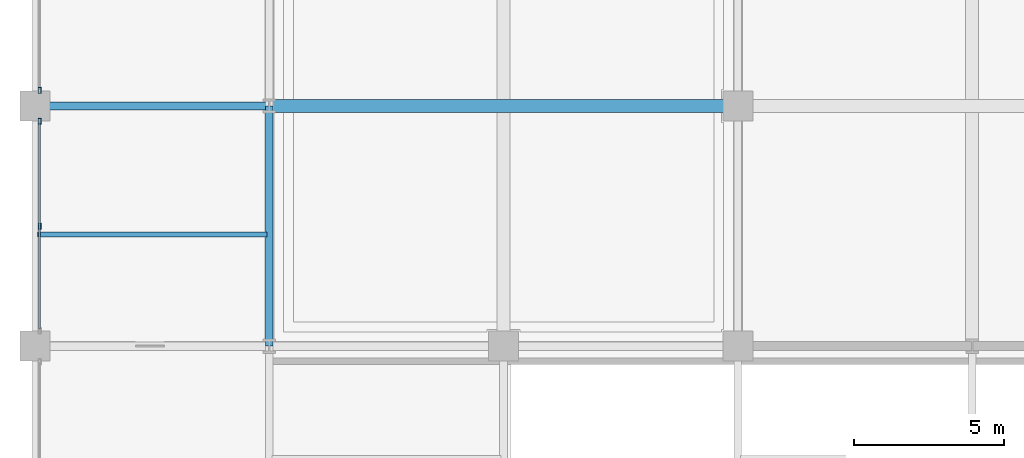
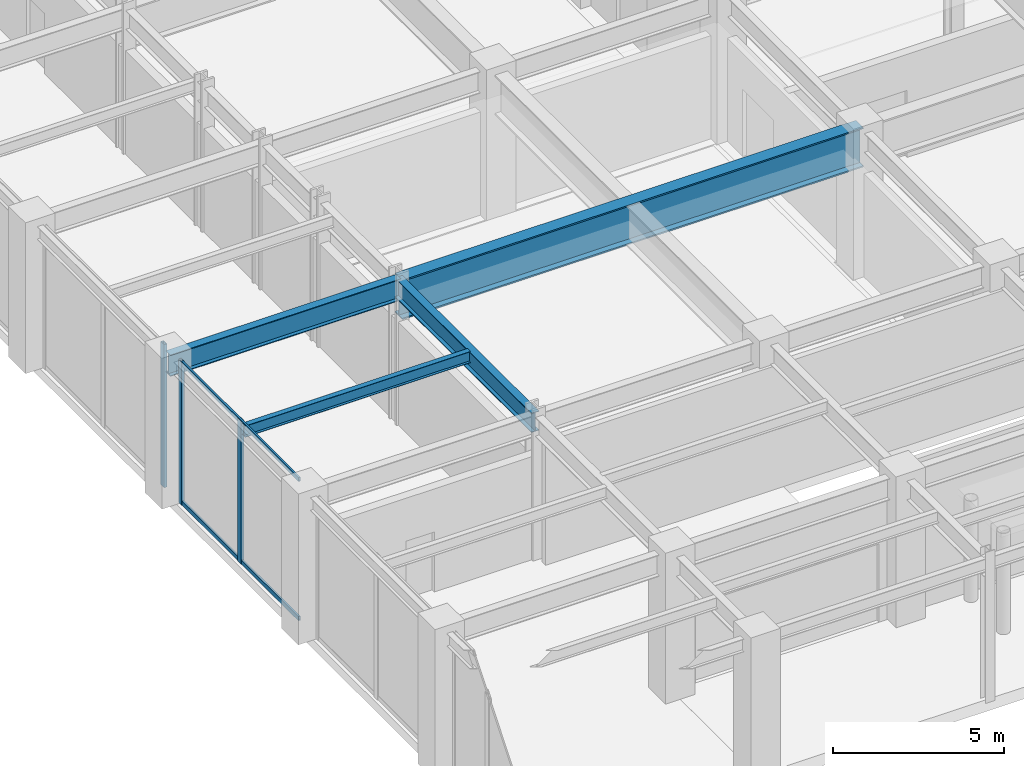
# One storey, part 8 of 27: 5 members, 4 beams, 2 elements without a shape of their own.
"""IFC4 building model written with IfcOpenShell, lengths in metres."""

from ifc_helpers import new_model, si_unit, direction, frame, origin, origin_2d, place, context, subcontext, project, spatial, hollow_rectangle, i_section, extrude, material, layer, layer_set, material_profile, profile_set, type_object, element, aggregate, save


model = new_model("IFC4")

# Units and contexts
model_context = context("Model", 3, precision=1e-05, world=origin(), true_north=direction((0.0, 1.0)))
body_context = subcontext(model_context, "Body", "Model", "MODEL_VIEW")
ifc_project = project(units=[si_unit("LENGTHUNIT", "METRE"), si_unit("AREAUNIT", "SQUARE_METRE"), si_unit("VOLUMEUNIT", "CUBIC_METRE"), si_unit("PLANEANGLEUNIT", "RADIAN"), si_unit("MASSUNIT", "GRAM", prefix="KILO")], contexts=[model_context])

# Site, building, storey
site_placement = place(None, origin())
site = spatial("IfcSite", under=ifc_project, at=site_placement, CompositionType="ELEMENT")
building_placement = place(site_placement, origin())
building = spatial("IfcBuilding", under=site, at=building_placement, Name="Veymaron Broadcast Tower", CompositionType="ELEMENT")
storey_placement = place(building_placement, origin())
storey = spatial("IfcBuildingStorey", under=building, at=storey_placement, Name="L00", CompositionType="ELEMENT", Elevation=0.0)

# Beams
ifc_material_1 = material(Name="Structural steel ASTM A992 Gr 50", Category="steel")
ifc_material_profile_1 = material_profile(ifc_material_1, i_section(OverallWidth=0.177978515625, OverallDepth=0.406982421875, WebThickness=0.0078125, FlangeThickness=0.0126953125, at=origin_2d()), Name="W410X60")
ifc_profile_set_1 = profile_set([ifc_material_profile_1], Name="Structural steel ASTM A992 Gr 50")
beam_type_1 = type_object("IfcBeamType", Name="BM-JS1", PredefinedType="JOIST", material=ifc_profile_set_1)
beam_1_placement = place(storey_placement, frame((0.0849609375, 11.719970703125, 4.91650390625), z_axis=(1.0, 0.0, 0.0), x_axis=(0.0, 1.0, 0.0)))
element("IfcBeam", 1, at=beam_1_placement, inside=storey, type_object=beam_type_1, Name="L00 podium secondary floor joist", PredefinedType="JOIST", context=body_context, shape_type="SweptSolid", body=[
    extrude(i_section(OverallWidth=0.177978515625, OverallDepth=0.406982421875, WebThickness=0.0078125, FlangeThickness=0.0126953125, at=origin_2d()), origin(), (0.0, 0.0, 1.0), 7.630126953125),
])
ifc_material_profile_2 = material_profile(ifc_material_1, i_section(OverallWidth=0.26806640625, OverallDepth=0.77001953125, WebThickness=0.015625, FlangeThickness=0.025390625, at=origin_2d()), Name="W760X196")
ifc_profile_set_2 = profile_set([ifc_material_profile_2], Name="Structural steel ASTM A992 Gr 50")
beam_type_2 = type_object("IfcBeamType", Name="BM-PG1", PredefinedType="BEAM", material=ifc_profile_set_2)
beam_2_placement = place(storey_placement, frame((0.0, 16.0, 4.735107421875), z_axis=(1.0, 0.0, 0.0), x_axis=(0.0, 1.0, 0.0)))
element("IfcBeam", 2, at=beam_2_placement, inside=storey, type_object=beam_type_2, Name="L00 podium primary X-girder", PredefinedType="BEAM", context=body_context, shape_type="SweptSolid", body=[
    extrude(i_section(OverallWidth=0.26806640625, OverallDepth=0.77001953125, WebThickness=0.015625, FlangeThickness=0.025390625, at=origin_2d()), origin(), (0.0, 0.0, 1.0), 7.800048828125),
])
ifc_material_profile_3 = material_profile(ifc_material_1, i_section(OverallWidth=0.256103515625, OverallDepth=0.693115234375, WebThickness=0.014404296875, FlangeThickness=0.023681640625, at=origin_2d()), Name="W690X170")
ifc_profile_set_3 = profile_set([ifc_material_profile_3], Name="Structural steel ASTM A992 Gr 50")
beam_type_3 = type_object("IfcBeamType", Name="BM-PG2", PredefinedType="BEAM", material=ifc_profile_set_3)
beam_3_placement = place(storey_placement, frame((7.800048828125, 8.0, 4.7734375), z_axis=(0.0, 1.0, 0.0), x_axis=(-1.0, 0.0, 0.0)))
element("IfcBeam", 3, at=beam_3_placement, inside=storey, type_object=beam_type_3, Name="L00 podium primary Y-girder", PredefinedType="BEAM", context=body_context, shape_type="SweptSolid", body=[
    extrude(i_section(OverallWidth=0.256103515625, OverallDepth=0.693115234375, WebThickness=0.014404296875, FlangeThickness=0.023681640625, at=origin_2d()), origin(), (0.0, 0.0, 1.0), 8.0),
])
ifc_material_2 = material(Name="Structural steel ASTM A913 Gr 65", Category="steel")
ifc_material_profile_4 = material_profile(ifc_material_2, i_section(OverallWidth=0.429931640625, OverallDepth=1.419921875, WebThickness=0.030029296875, FlangeThickness=0.050048828125, at=origin_2d()), Name="W1400X550")
ifc_profile_set_4 = profile_set([ifc_material_profile_4], Name="Structural steel ASTM A913 Gr 65")
beam_type_4 = type_object("IfcBeamType", Name="BM-TG0", PredefinedType="BEAM", material=ifc_profile_set_4)
beam_4_placement = place(storey_placement, frame((7.800048828125, 16.0, 4.409912109375), z_axis=(1.0, 0.0, 0.0), x_axis=(0.0, 1.0, 0.0)))
element("IfcBeam", 4, at=beam_4_placement, inside=storey, type_object=beam_type_4, Name="L00 podium primary X-girder", PredefinedType="BEAM", context=body_context, shape_type="SweptSolid", body=[
    extrude(i_section(OverallWidth=0.429931640625, OverallDepth=1.419921875, WebThickness=0.030029296875, FlangeThickness=0.050048828125, at=origin_2d()), origin(), (0.0, 0.0, 1.0), 15.599853515625),
])

# Curtain wall, members
ifc_material_3 = material(Name="Anodised aluminium AA 6063-T6 and laminated low-E dark glass", Category="aluminium")
ifc_layer = layer(ifc_material_3, 0.179931640625)
ifc_layer_set = layer_set([ifc_layer], Name="Anodised aluminium AA 6063-T6 and laminated low-E dark glass")
curtain_wall_type = type_object("IfcCurtainWallType", Name="CW-SYS-01", PredefinedType="NOTDEFINED", material=ifc_layer_set)
curtain_wall_1_placement = place(storey_placement, origin())
curtain_wall_1 = element("IfcCurtainWall", 5, at=curtain_wall_1_placement, inside=storey, type_object=curtain_wall_type, Name="L00 dark-glass curtain wall CW-L00-06", PredefinedType="NOTDEFINED")
ifc_material_4 = material(Name="Anodised aluminium AA 6063-T6", Category="aluminium")
ifc_material_profile_5 = material_profile(ifc_material_4, hollow_rectangle(XDim=0.10009765625, YDim=0.199951171875, WallThickness=0.010009765625, at=origin_2d()), Name="RHS200X100X10")
ifc_profile_set_5 = profile_set([ifc_material_profile_5], Name="Anodised aluminium AA 6063-T6")
member_type_1 = type_object("IfcMemberType", Name="CW-MUL-01", PredefinedType="MULLION", material=ifc_profile_set_5)
member_1_placement = place(storey_placement, frame((0.14990234375, 12.0, 0.0), z_axis=(0.0, 0.0, 1.0), x_axis=(1.0, 0.0, 0.0)))
member_1 = element("IfcMember", 6, at=member_1_placement, type_object=member_type_1, Name="CW-L00-06 mullion 1", PredefinedType="MULLION", context=body_context, shape_type="SweptSolid", body=[
    extrude(hollow_rectangle(XDim=0.10009765625, YDim=0.199951171875, WallThickness=0.010009765625, at=origin_2d()), origin(), (0.0, 0.0, 1.0), 5.1201171875),
])
member_2_placement = place(storey_placement, frame((0.14990234375, 15.48193359375, 0.0), z_axis=(0.0, 0.0, 1.0), x_axis=(1.0, 0.0, 0.0)))
member_2 = element("IfcMember", 7, at=member_2_placement, type_object=member_type_1, Name="CW-L00-06 mullion 2", PredefinedType="MULLION", context=body_context, shape_type="SweptSolid", body=[
    extrude(hollow_rectangle(XDim=0.10009765625, YDim=0.199951171875, WallThickness=0.010009765625, at=origin_2d()), origin(), (0.0, 0.0, 1.0), 5.1201171875),
])

# Curtain wall, member
curtain_wall_2_placement = place(storey_placement, origin())
curtain_wall_2 = element("IfcCurtainWall", 8, at=curtain_wall_2_placement, inside=storey, type_object=curtain_wall_type, Name="L00 dark-glass curtain wall CW-L00-07", PredefinedType="NOTDEFINED")
member_3_placement = place(storey_placement, frame((0.14990234375, 16.51806640625, 0.0), z_axis=(0.0, 0.0, 1.0), x_axis=(1.0, 0.0, 0.0)))
member_3 = element("IfcMember", 9, at=member_3_placement, type_object=member_type_1, Name="CW-L00-07 mullion 0", PredefinedType="MULLION", context=body_context, shape_type="SweptSolid", body=[
    extrude(hollow_rectangle(XDim=0.10009765625, YDim=0.199951171875, WallThickness=0.010009765625, at=origin_2d()), origin(), (0.0, 0.0, 1.0), 5.1201171875),
])
aggregate(curtain_wall_2, [member_3])

# Member
ifc_material_profile_6 = material_profile(ifc_material_4, hollow_rectangle(XDim=0.06494140625, YDim=0.14990234375, WallThickness=0.00390625, at=origin_2d()), Name="AL150X65X4")
ifc_profile_set_6 = profile_set([ifc_material_profile_6], Name="Anodised aluminium AA 6063-T6")
member_type_2 = type_object("IfcMemberType", Name="CW-TRN-01", PredefinedType="USERDEFINED", material=ifc_profile_set_6)
member_4_placement = place(storey_placement, frame((0.14990234375, 8.568115234375, 0.070068359375), z_axis=(0.0, 1.0, 0.0), x_axis=(-1.0, 0.0, 0.0)))
member_4 = element("IfcMember", 10, at=member_4_placement, type_object=member_type_2, Name="CW-L00-06 transom B", ObjectType="TRANSOM", PredefinedType="USERDEFINED", context=body_context, shape_type="SweptSolid", body=[
    extrude(hollow_rectangle(XDim=0.06494140625, YDim=0.14990234375, WallThickness=0.00390625, at=origin_2d()), origin(), (0.0, 0.0, 1.0), 6.86376953125),
])

member_5_placement = place(storey_placement, frame((0.14990234375, 8.568115234375, 5.050048828125), z_axis=(0.0, 1.0, 0.0), x_axis=(-1.0, 0.0, 0.0)))
member_5 = element("IfcMember", 11, at=member_5_placement, type_object=member_type_2, Name="CW-L00-06 transom T", ObjectType="TRANSOM", PredefinedType="USERDEFINED", context=body_context, shape_type="SweptSolid", body=[
    extrude(hollow_rectangle(XDim=0.06494140625, YDim=0.14990234375, WallThickness=0.00390625, at=origin_2d()), origin(), (0.0, 0.0, 1.0), 6.86376953125),
])

aggregate(curtain_wall_1, [member_1, member_2, member_4, member_5])

save(model, "model.ifc")
